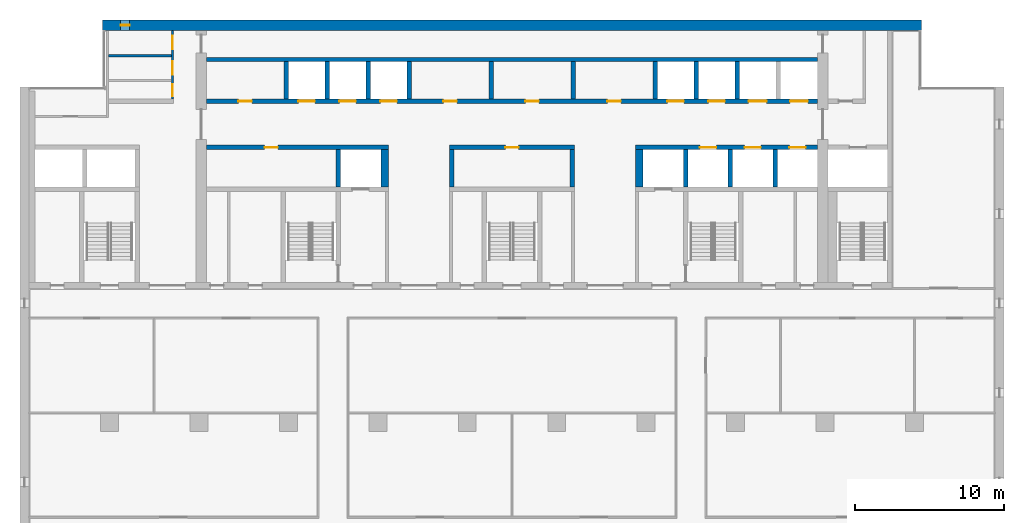
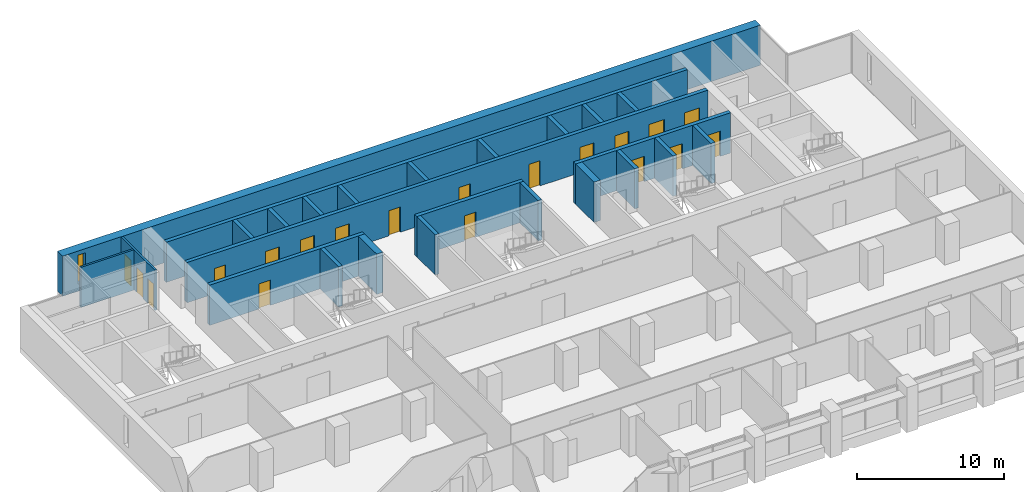
# One storey, part 11 of 17: 25 walls, 19 doors, 1 window, 20 openings.
"""IFC4 building model written with IfcOpenShell, lengths in metres."""

from ifc_helpers import new_model, si_unit, direction, frame, frame_2d, origin, place, context, subcontext, project, spatial, rectangle, extrude, material, layer, layer_set, type_object, element, fill, save


model = new_model("IFC4")

# Units and contexts
model_context = context("Model", 3, precision=1e-05, world=origin(), true_north=direction((0.0, 1.0)))
body_context = subcontext(model_context, "Body", "Model", "MODEL_VIEW")
ifc_project = project(units=[si_unit("LENGTHUNIT", "METRE"), si_unit("AREAUNIT", "SQUARE_METRE"), si_unit("VOLUMEUNIT", "CUBIC_METRE"), si_unit("PLANEANGLEUNIT", "RADIAN"), si_unit("MASSUNIT", "GRAM", prefix="KILO")], contexts=[model_context])

# Site, building, storey
site_placement = place(None, origin())
site = spatial("IfcSite", under=ifc_project, at=site_placement, CompositionType="ELEMENT")
building_placement = place(site_placement, origin())
building = spatial("IfcBuilding", under=site, at=building_placement, Name="Calvaro Tower", CompositionType="ELEMENT")
storey_placement = place(building_placement, frame((0.0, 0.0, 174.25)))
storey = spatial("IfcBuildingStorey", under=building, at=storey_placement, Name="L43", CompositionType="ELEMENT", Elevation=174.25)

# Wall
ifc_material_1 = material(Name="Blockwork partition", Category="masonry")
ifc_layer_1 = layer(ifc_material_1, 0.14990234375)
ifc_layer_set_1 = layer_set([ifc_layer_1], Name="Blockwork partition")
wall_type_1 = type_object("IfcWallType", Name="Core partition 150 EI 60", PredefinedType="PARTITIONING", material=ifc_layer_set_1)
wall_1_placement = place(storey_placement, frame((11.949951171875, 43.60009765625, 0.0), z_axis=(0.0, 0.0, 1.0), x_axis=(1.0, 0.0, 0.0)))
element("IfcWall", 1, at=wall_1_placement, inside=storey, type_object=wall_type_1, Name="Core partition", PredefinedType="PARTITIONING", context=body_context, shape_type="SweptSolid", body=[
    extrude(rectangle(XDim=4.199951171875, YDim=0.14990234375, at=frame_2d((2.10009765625, 0.0))), origin(), (0.0, 0.0, 1.0), 3.35009765625),
])

# Wall, openings, doors
ifc_material_2 = material(Name="Blockwork partition", Category="masonry")
ifc_layer_2 = layer(ifc_material_2, 0.14990234375)
ifc_layer_set_2 = layer_set([ifc_layer_2], Name="Blockwork partition")
wall_type_2 = type_object("IfcWallType", Name="Core partition 150 REI 120", PredefinedType="PARTITIONING", material=ifc_layer_set_2)
wall_2_placement = place(storey_placement, frame((16.22509765625, 45.300048828125, 0.0), z_axis=(0.0, 0.0, 1.0), x_axis=(0.0, -1.0, 0.0)))
wall_2 = element("IfcWall", 2, at=wall_2_placement, inside=storey, type_object=wall_type_2, Name="Core partition", PredefinedType="PARTITIONING", context=body_context, shape_type="SweptSolid", body=[
    extrude(rectangle(XDim=4.60009765625, YDim=0.14990234375, at=frame_2d((2.300048828125, 0.0))), origin(), (0.0, 0.0, 1.0), 3.35009765625),
])
opening_1_placement = place(wall_2_placement, frame((3.612548828125, 0.0, 0.0)))
opening_1 = element("IfcOpeningElement", 3, at=opening_1_placement, cuts=wall_2, Name="Opening RD8C", PredefinedType="OPENING", context=body_context, shape_type="SweptSolid", body=[
    extrude(rectangle(XDim=0.800048828125, YDim=2.10009765625, at=frame_2d((0.39990234375, 1.050048828125))), frame((0.0, 0.0849609375, 0.0), z_axis=(0.0, -1.0, 0.0), x_axis=(1.0, 0.0, 0.0)), (0.0, 0.0, 1.0), 0.169921875),
])
opening_2_placement = place(wall_2_placement, frame((2.074951171875, 0.0, 0.0)))
opening_2 = element("IfcOpeningElement", 4, at=opening_2_placement, cuts=wall_2, Name="Opening RD9", PredefinedType="OPENING", context=body_context, shape_type="SweptSolid", body=[
    extrude(rectangle(XDim=0.89990234375, YDim=2.10009765625, at=frame_2d((0.449951171875, 1.050048828125))), frame((0.0, 0.0849609375, 0.0), z_axis=(0.0, -1.0, 0.0), x_axis=(1.0, 0.0, 0.0)), (0.0, 0.0, 1.0), 0.169921875),
])
opening_3_placement = place(wall_2_placement, frame((0.362548828125, 0.0, 0.0)))
opening_3 = element("IfcOpeningElement", 5, at=opening_3_placement, cuts=wall_2, Name="Opening RD9", PredefinedType="OPENING", context=body_context, shape_type="SweptSolid", body=[
    extrude(rectangle(XDim=0.89990234375, YDim=2.10009765625, at=frame_2d((0.449951171875, 1.050048828125))), frame((0.0, 0.0849609375, 0.0), z_axis=(0.0, -1.0, 0.0), x_axis=(1.0, 0.0, 0.0)), (0.0, 0.0, 1.0), 0.169921875),
])
ifc_material_3 = material(Name="Steel door set", Category="steel")
door_type_1 = type_object("IfcDoorType", Name="Room door 800 FD30", OperationType="SINGLE_SWING_LEFT", PredefinedType="DOOR", material=ifc_material_3)
door_1_placement = place(opening_1_placement, origin())
door_1 = element("IfcDoor", 6, at=door_1_placement, inside=storey, type_object=door_type_1, Name="Room door", OperationType="SINGLE_SWING_RIGHT", OverallHeight=2.10009765625, OverallWidth=0.800048828125, PredefinedType="DOOR", context=body_context, shape_type="SweptSolid", body=[
    extrude(rectangle(XDim=0.800048828125, YDim=2.10009765625, at=frame_2d((0.39990234375, 1.050048828125))), frame((0.0, 0.02490234375, 0.0), z_axis=(0.0, -1.0, 0.0), x_axis=(1.0, 0.0, 0.0)), (0.0, 0.0, 1.0), 0.050048828125),
])
fill(opening_1, door_1)
ifc_material_4 = material(Name="Steel door set", Category="steel")
door_type_2 = type_object("IfcDoorType", Name="Room door 900", OperationType="SINGLE_SWING_LEFT", PredefinedType="DOOR", material=ifc_material_4)
door_2_placement = place(opening_2_placement, origin())
door_2 = element("IfcDoor", 7, at=door_2_placement, inside=storey, type_object=door_type_2, Name="Room door", OperationType="SINGLE_SWING_RIGHT", OverallHeight=2.10009765625, OverallWidth=0.89990234375, PredefinedType="DOOR", context=body_context, shape_type="SweptSolid", body=[
    extrude(rectangle(XDim=0.89990234375, YDim=2.10009765625, at=frame_2d((0.449951171875, 1.050048828125))), frame((0.0, 0.02490234375, 0.0), z_axis=(0.0, -1.0, 0.0), x_axis=(1.0, 0.0, 0.0)), (0.0, 0.0, 1.0), 0.050048828125),
])
fill(opening_2, door_2)
door_3_placement = place(opening_3_placement, origin())
door_3 = element("IfcDoor", 8, at=door_3_placement, inside=storey, type_object=door_type_2, Name="Room door", OperationType="SINGLE_SWING_RIGHT", OverallHeight=2.10009765625, OverallWidth=0.89990234375, PredefinedType="DOOR", context=body_context, shape_type="SweptSolid", body=[
    extrude(rectangle(XDim=0.89990234375, YDim=2.10009765625, at=frame_2d((0.449951171875, 1.050048828125))), frame((0.0, 0.02490234375, 0.0), z_axis=(0.0, -1.0, 0.0), x_axis=(1.0, 0.0, 0.0)), (0.0, 0.0, 1.0), 0.050048828125),
])
fill(opening_3, door_3)

# Walls
ifc_material_5 = material(Name="Blockwork partition", Category="masonry")
ifc_layer_3 = layer(ifc_material_5, 0.300048828125)
ifc_layer_set_3 = layer_set([ifc_layer_3], Name="Blockwork partition")
wall_type_3 = type_object("IfcWallType", Name="Core partition 300 EI 60", PredefinedType="PARTITIONING", material=ifc_layer_set_3)
wall_3_placement = place(storey_placement, frame((43.10009765625, 40.699951171875, 0.0), z_axis=(0.0, 0.0, 1.0), x_axis=(0.0, 1.0, 0.0)))
element("IfcWall", 9, at=wall_3_placement, inside=storey, type_object=wall_type_3, Name="Core partition", PredefinedType="PARTITIONING", context=body_context, shape_type="SweptSolid", body=[
    extrude(rectangle(XDim=2.5, YDim=0.300048828125, at=frame_2d((1.25, 0.0))), origin(), (0.0, 0.0, 1.0), 3.35009765625),
])
ifc_material_6 = material(Name="Blockwork partition", Category="masonry")
ifc_layer_4 = layer(ifc_material_6, 0.300048828125)
ifc_layer_set_4 = layer_set([ifc_layer_4], Name="Blockwork partition")
wall_type_4 = type_object("IfcWallType", Name="Core partition 300 REI 120", PredefinedType="PARTITIONING", material=ifc_layer_set_4)
wall_4_placement = place(storey_placement, frame((37.60009765625, 40.699951171875, 0.0), z_axis=(0.0, 0.0, 1.0), x_axis=(0.0, 1.0, 0.0)))
element("IfcWall", 10, at=wall_4_placement, inside=storey, type_object=wall_type_4, Name="Core partition", PredefinedType="PARTITIONING", context=body_context, shape_type="SweptSolid", body=[
    extrude(rectangle(XDim=2.5, YDim=0.300048828125, at=frame_2d((1.25, 0.0))), origin(), (0.0, 0.0, 1.0), 3.35009765625),
])

# Wall, opening, door
ifc_material_7 = material(Name="Concrete C50/60", Category="concrete")
ifc_layer_5 = layer(ifc_material_7, 0.300048828125)
ifc_layer_set_5 = layer_set([ifc_layer_5], Name="Concrete C50/60")
wall_type_5 = type_object("IfcWallType", Name="Core wall C50/60 300", PredefinedType="SHEAR", material=ifc_layer_set_5)
wall_5_placement = place(storey_placement, frame((30.699951171875, 37.449951171875, 0.0), z_axis=(0.0, 0.0, 1.0), x_axis=(-1.0, 0.0, 0.0)))
wall_5 = element("IfcWall", 11, at=wall_5_placement, inside=storey, type_object=wall_type_5, Name="Core wall, bay", PredefinedType="SHEAR", context=body_context, shape_type="SweptSolid", body=[
    extrude(rectangle(XDim=12.199951171875, YDim=0.300048828125, at=frame_2d((6.10009765625, 0.0))), origin(), (0.0, 0.0, 1.0), 3.35009765625),
])
opening_4_placement = place(wall_5_placement, frame((7.39990234375, 0.0, 0.0)))
opening_4 = element("IfcOpeningElement", 12, at=opening_4_placement, cuts=wall_5, Name="Opening RD9E", PredefinedType="OPENING", context=body_context, shape_type="SweptSolid", body=[
    extrude(rectangle(XDim=0.89990234375, YDim=2.10009765625, at=frame_2d((0.449951171875, 1.050048828125))), frame((0.0, 0.159912109375, 0.0), z_axis=(0.0, -1.0, 0.0), x_axis=(1.0, 0.0, 0.0)), (0.0, 0.0, 1.0), 0.320068359375),
])
ifc_material_8 = material(Name="Steel door set", Category="steel")
door_type_3 = type_object("IfcDoorType", Name="Room door 900 FD60", OperationType="SINGLE_SWING_LEFT", PredefinedType="DOOR", material=ifc_material_8)
door_4_placement = place(opening_4_placement, origin())
door_4 = element("IfcDoor", 13, at=door_4_placement, inside=storey, type_object=door_type_3, Name="Room door", OperationType="SINGLE_SWING_LEFT", OverallHeight=2.10009765625, OverallWidth=0.89990234375, PredefinedType="DOOR", context=body_context, shape_type="SweptSolid", body=[
    extrude(rectangle(XDim=0.89990234375, YDim=2.10009765625, at=frame_2d((0.449951171875, 1.050048828125))), frame((0.0, 0.02490234375, 0.0), z_axis=(0.0, -1.0, 0.0), x_axis=(1.0, 0.0, 0.0)), (0.0, 0.0, 1.0), 0.050048828125),
])
fill(opening_4, door_4)

wall_6_placement = place(storey_placement, frame((43.199951171875, 37.449951171875, 0.0), z_axis=(0.0, 0.0, 1.0), x_axis=(-1.0, 0.0, 0.0)))
wall_6 = element("IfcWall", 14, at=wall_6_placement, inside=storey, type_object=wall_type_5, Name="Core wall, bay", PredefinedType="SHEAR", context=body_context, shape_type="SweptSolid", body=[
    extrude(rectangle(XDim=8.39990234375, YDim=0.300048828125, at=frame_2d((4.199951171875, 0.0))), origin(), (0.0, 0.0, 1.0), 3.35009765625),
])
opening_5_placement = place(wall_6_placement, frame((3.75, 0.0, 0.0)))
opening_5 = element("IfcOpeningElement", 15, at=opening_5_placement, cuts=wall_6, Name="Opening RD9E", PredefinedType="OPENING", context=body_context, shape_type="SweptSolid", body=[
    extrude(rectangle(XDim=0.89990234375, YDim=2.10009765625, at=frame_2d((0.449951171875, 1.050048828125))), frame((0.0, 0.159912109375, 0.0), z_axis=(0.0, -1.0, 0.0), x_axis=(1.0, 0.0, 0.0)), (0.0, 0.0, 1.0), 0.320068359375),
])
door_5_placement = place(opening_5_placement, origin())
door_5 = element("IfcDoor", 16, at=door_5_placement, inside=storey, type_object=door_type_3, Name="Room door", OperationType="SINGLE_SWING_RIGHT", OverallHeight=2.10009765625, OverallWidth=0.89990234375, PredefinedType="DOOR", context=body_context, shape_type="SweptSolid", body=[
    extrude(rectangle(XDim=0.89990234375, YDim=2.10009765625, at=frame_2d((0.449951171875, 1.050048828125))), frame((0.0, 0.02490234375, 0.0), z_axis=(0.0, -1.0, 0.0), x_axis=(1.0, 0.0, 0.0)), (0.0, 0.0, 1.0), 0.050048828125),
])
fill(opening_5, door_5)

# Wall, openings, doors
wall_7_placement = place(storey_placement, frame((47.300048828125, 37.449951171875, 0.0), z_axis=(0.0, 0.0, 1.0), x_axis=(1.0, 0.0, 0.0)))
wall_7 = element("IfcWall", 17, at=wall_7_placement, inside=storey, type_object=wall_type_5, Name="Core wall, lift shaft", PredefinedType="SHEAR", context=body_context, shape_type="SweptSolid", body=[
    extrude(rectangle(XDim=12.199951171875, YDim=0.300048828125, at=frame_2d((6.10009765625, 0.0))), origin(), (0.0, 0.0, 1.0), 3.35009765625),
])
opening_6_placement = place(wall_7_placement, frame((4.300048828125, 0.0, 0.0)))
opening_6 = element("IfcOpeningElement", 18, at=opening_6_placement, cuts=wall_7, Name="Opening HR1", PredefinedType="OPENING", context=body_context, shape_type="SweptSolid", body=[
    extrude(rectangle(XDim=1.10009765625, YDim=2.10009765625, at=frame_2d((0.550048828125, 1.050048828125))), frame((0.0, 0.159912109375, 0.0), z_axis=(0.0, -1.0, 0.0), x_axis=(1.0, 0.0, 0.0)), (0.0, 0.0, 1.0), 0.320068359375),
])
opening_7_placement = place(wall_7_placement, frame((7.300048828125, 0.0, 0.0)))
opening_7 = element("IfcOpeningElement", 19, at=opening_7_placement, cuts=wall_7, Name="Opening HR2", PredefinedType="OPENING", context=body_context, shape_type="SweptSolid", body=[
    extrude(rectangle(XDim=1.10009765625, YDim=2.10009765625, at=frame_2d((0.550048828125, 1.050048828125))), frame((0.0, 0.159912109375, 0.0), z_axis=(0.0, -1.0, 0.0), x_axis=(1.0, 0.0, 0.0)), (0.0, 0.0, 1.0), 0.320068359375),
])
opening_8_placement = place(wall_7_placement, frame((10.300048828125, 0.0, 0.0)))
opening_8 = element("IfcOpeningElement", 20, at=opening_8_placement, cuts=wall_7, Name="Opening HR3", PredefinedType="OPENING", context=body_context, shape_type="SweptSolid", body=[
    extrude(rectangle(XDim=1.10009765625, YDim=2.10009765625, at=frame_2d((0.550048828125, 1.050048828125))), frame((0.0, 0.159912109375, 0.0), z_axis=(0.0, -1.0, 0.0), x_axis=(1.0, 0.0, 0.0)), (0.0, 0.0, 1.0), 0.320068359375),
])
ifc_material_9 = material(Name="Stainless steel", Category="steel")
door_type_4 = type_object("IfcDoorType", Name="Landing door 1100 E 60", OperationType="SLIDING_TO_LEFT", PredefinedType="DOOR", material=ifc_material_9)
door_6_placement = place(opening_6_placement, origin())
door_6 = element("IfcDoor", 21, at=door_6_placement, inside=storey, type_object=door_type_4, Name="Landing door HR1", OperationType="SLIDING_TO_LEFT", OverallHeight=2.10009765625, OverallWidth=1.10009765625, PredefinedType="DOOR", context=body_context, shape_type="SweptSolid", body=[
    extrude(rectangle(XDim=1.10009765625, YDim=2.10009765625, at=frame_2d((0.550048828125, 1.050048828125))), frame((0.0, 0.02490234375, 0.0), z_axis=(0.0, -1.0, 0.0), x_axis=(1.0, 0.0, 0.0)), (0.0, 0.0, 1.0), 0.050048828125),
])
fill(opening_6, door_6)
door_7_placement = place(opening_7_placement, origin())
door_7 = element("IfcDoor", 22, at=door_7_placement, inside=storey, type_object=door_type_4, Name="Landing door HR2", OperationType="SLIDING_TO_LEFT", OverallHeight=2.10009765625, OverallWidth=1.10009765625, PredefinedType="DOOR", context=body_context, shape_type="SweptSolid", body=[
    extrude(rectangle(XDim=1.10009765625, YDim=2.10009765625, at=frame_2d((0.550048828125, 1.050048828125))), frame((0.0, 0.02490234375, 0.0), z_axis=(0.0, -1.0, 0.0), x_axis=(1.0, 0.0, 0.0)), (0.0, 0.0, 1.0), 0.050048828125),
])
fill(opening_7, door_7)
door_8_placement = place(opening_8_placement, origin())
door_8 = element("IfcDoor", 23, at=door_8_placement, inside=storey, type_object=door_type_4, Name="Landing door HR3", OperationType="SLIDING_TO_LEFT", OverallHeight=2.10009765625, OverallWidth=1.10009765625, PredefinedType="DOOR", context=body_context, shape_type="SweptSolid", body=[
    extrude(rectangle(XDim=1.10009765625, YDim=2.10009765625, at=frame_2d((0.550048828125, 1.050048828125))), frame((0.0, 0.02490234375, 0.0), z_axis=(0.0, -1.0, 0.0), x_axis=(1.0, 0.0, 0.0)), (0.0, 0.0, 1.0), 0.050048828125),
])
fill(opening_8, door_8)

# Walls
for number, where, z_axis, x_axis, name in (
    (24, (27.35009765625, 34.800048828125, 0.0), (0.0, 0.0, 1.0), (0.0, 1.0, 0.0), "Core wall, lift shaft"),
    (25, (34.949951171875, 34.800048828125, 0.0), (0.0, 0.0, 1.0), (0.0, 1.0, 0.0), "Core wall, lift shaft"),
    (26, (43.050048828125, 34.800048828125, 0.0), (0.0, 0.0, 1.0), (0.0, 1.0, 0.0), "Core wall, lift shaft"),
    (27, (50.64990234375, 34.800048828125, 0.0), (0.0, 0.0, 1.0), (0.0, 1.0, 0.0), "Core wall, lift shaft"),
):
    element("IfcWall", number, at=place(storey_placement, frame(where, z_axis=z_axis, x_axis=x_axis)), inside=storey, type_object=wall_type_5, Name=name, PredefinedType="SHEAR", context=body_context, shape_type="SweptSolid", body=[
        extrude(rectangle(XDim=2.5, YDim=0.300048828125, at=frame_2d((1.25, 0.0))), origin(), (0.0, 0.0, 1.0), 3.35009765625),
    ])

# Wall, openings, doors
wall_8_placement = place(storey_placement, frame((18.5, 40.550048828125, 0.0), z_axis=(0.0, 0.0, 1.0), x_axis=(1.0, 0.0, 0.0)))
wall_8 = element("IfcWall", 28, at=wall_8_placement, inside=storey, type_object=wall_type_5, Name="Core wall, bay", PredefinedType="SHEAR", context=body_context, shape_type="SweptSolid", body=[
    extrude(rectangle(XDim=41.0, YDim=0.300048828125, at=frame_2d((20.5, 0.0))), origin(), (0.0, 0.0, 1.0), 3.35009765625),
])
opening_9_placement = place(wall_8_placement, frame((2.14990234375, 0.0, 0.0)))
opening_9 = element("IfcOpeningElement", 29, at=opening_9_placement, cuts=wall_8, Name="Opening RD9E", PredefinedType="OPENING", context=body_context, shape_type="SweptSolid", body=[
    extrude(rectangle(XDim=0.89990234375, YDim=2.10009765625, at=frame_2d((0.449951171875, 1.050048828125))), frame((0.0, 0.159912109375, 0.0), z_axis=(0.0, -1.0, 0.0), x_axis=(1.0, 0.0, 0.0)), (0.0, 0.0, 1.0), 0.320068359375),
])
opening_10_placement = place(wall_8_placement, frame((15.89990234375, 0.0, 0.0)))
opening_10 = element("IfcOpeningElement", 30, at=opening_10_placement, cuts=wall_8, Name="Opening RD9E", PredefinedType="OPENING", context=body_context, shape_type="SweptSolid", body=[
    extrude(rectangle(XDim=0.89990234375, YDim=2.10009765625, at=frame_2d((0.449951171875, 1.050048828125))), frame((0.0, 0.159912109375, 0.0), z_axis=(0.0, -1.0, 0.0), x_axis=(1.0, 0.0, 0.0)), (0.0, 0.0, 1.0), 0.320068359375),
])
opening_11_placement = place(wall_8_placement, frame((21.39990234375, 0.0, 0.0)))
opening_11 = element("IfcOpeningElement", 31, at=opening_11_placement, cuts=wall_8, Name="Opening RD9E", PredefinedType="OPENING", context=body_context, shape_type="SweptSolid", body=[
    extrude(rectangle(XDim=0.89990234375, YDim=2.10009765625, at=frame_2d((0.449951171875, 1.050048828125))), frame((0.0, 0.159912109375, 0.0), z_axis=(0.0, -1.0, 0.0), x_axis=(1.0, 0.0, 0.0)), (0.0, 0.0, 1.0), 0.320068359375),
])
opening_12_placement = place(wall_8_placement, frame((26.89990234375, 0.0, 0.0)))
opening_12 = element("IfcOpeningElement", 32, at=opening_12_placement, cuts=wall_8, Name="Opening RD9C", PredefinedType="OPENING", context=body_context, shape_type="SweptSolid", body=[
    extrude(rectangle(XDim=0.89990234375, YDim=2.10009765625, at=frame_2d((0.449951171875, 1.050048828125))), frame((0.0, 0.159912109375, 0.0), z_axis=(0.0, -1.0, 0.0), x_axis=(1.0, 0.0, 0.0)), (0.0, 0.0, 1.0), 0.320068359375),
])
opening_13_placement = place(wall_8_placement, frame((6.175048828125, 0.0, 0.0)))
opening_13 = element("IfcOpeningElement", 33, at=opening_13_placement, cuts=wall_8, Name="Opening HR4", PredefinedType="OPENING", context=body_context, shape_type="SweptSolid", body=[
    extrude(rectangle(XDim=1.10009765625, YDim=2.10009765625, at=frame_2d((0.550048828125, 1.050048828125))), frame((0.0, 0.159912109375, 0.0), z_axis=(0.0, -1.0, 0.0), x_axis=(1.0, 0.0, 0.0)), (0.0, 0.0, 1.0), 0.320068359375),
])
opening_14_placement = place(wall_8_placement, frame((8.925048828125, 0.0, 0.0)))
opening_14 = element("IfcOpeningElement", 34, at=opening_14_placement, cuts=wall_8, Name="Opening HR5", PredefinedType="OPENING", context=body_context, shape_type="SweptSolid", body=[
    extrude(rectangle(XDim=1.10009765625, YDim=2.10009765625, at=frame_2d((0.550048828125, 1.050048828125))), frame((0.0, 0.159912109375, 0.0), z_axis=(0.0, -1.0, 0.0), x_axis=(1.0, 0.0, 0.0)), (0.0, 0.0, 1.0), 0.320068359375),
])
opening_15_placement = place(wall_8_placement, frame((11.675048828125, 0.0, 0.0)))
opening_15 = element("IfcOpeningElement", 35, at=opening_15_placement, cuts=wall_8, Name="Opening HR6", PredefinedType="OPENING", context=body_context, shape_type="SweptSolid", body=[
    extrude(rectangle(XDim=1.10009765625, YDim=2.10009765625, at=frame_2d((0.550048828125, 1.050048828125))), frame((0.0, 0.159912109375, 0.0), z_axis=(0.0, -1.0, 0.0), x_axis=(1.0, 0.0, 0.0)), (0.0, 0.0, 1.0), 0.320068359375),
])
opening_16_placement = place(wall_8_placement, frame((30.925048828125, 0.0, 0.0)))
opening_16 = element("IfcOpeningElement", 36, at=opening_16_placement, cuts=wall_8, Name="Opening HR7", PredefinedType="OPENING", context=body_context, shape_type="SweptSolid", body=[
    extrude(rectangle(XDim=1.10009765625, YDim=2.10009765625, at=frame_2d((0.550048828125, 1.050048828125))), frame((0.0, 0.159912109375, 0.0), z_axis=(0.0, -1.0, 0.0), x_axis=(1.0, 0.0, 0.0)), (0.0, 0.0, 1.0), 0.320068359375),
])
opening_17_placement = place(wall_8_placement, frame((33.675048828125, 0.0, 0.0)))
opening_17 = element("IfcOpeningElement", 37, at=opening_17_placement, cuts=wall_8, Name="Opening HR8", PredefinedType="OPENING", context=body_context, shape_type="SweptSolid", body=[
    extrude(rectangle(XDim=1.10009765625, YDim=2.10009765625, at=frame_2d((0.550048828125, 1.050048828125))), frame((0.0, 0.159912109375, 0.0), z_axis=(0.0, -1.0, 0.0), x_axis=(1.0, 0.0, 0.0)), (0.0, 0.0, 1.0), 0.320068359375),
])
opening_18_placement = place(wall_8_placement, frame((36.375, 0.0, 0.0)))
opening_18 = element("IfcOpeningElement", 38, at=opening_18_placement, cuts=wall_8, Name="Opening SV1", PredefinedType="OPENING", context=body_context, shape_type="SweptSolid", body=[
    extrude(rectangle(XDim=1.199951171875, YDim=2.10009765625, at=frame_2d((0.60009765625, 1.050048828125))), frame((0.0, 0.159912109375, 0.0), z_axis=(0.0, -1.0, 0.0), x_axis=(1.0, 0.0, 0.0)), (0.0, 0.0, 1.0), 0.320068359375),
])
opening_19_placement = place(wall_8_placement, frame((39.14990234375, 0.0, 0.0)))
opening_19 = element("IfcOpeningElement", 39, at=opening_19_placement, cuts=wall_8, Name="Opening SV2", PredefinedType="OPENING", context=body_context, shape_type="SweptSolid", body=[
    extrude(rectangle(XDim=1.199951171875, YDim=2.10009765625, at=frame_2d((0.60009765625, 1.050048828125))), frame((0.0, 0.159912109375, 0.0), z_axis=(0.0, -1.0, 0.0), x_axis=(1.0, 0.0, 0.0)), (0.0, 0.0, 1.0), 0.320068359375),
])
door_9_placement = place(opening_13_placement, origin())
door_9 = element("IfcDoor", 40, at=door_9_placement, inside=storey, type_object=door_type_4, Name="Landing door HR4", OperationType="SLIDING_TO_LEFT", OverallHeight=2.10009765625, OverallWidth=1.10009765625, PredefinedType="DOOR", context=body_context, shape_type="SweptSolid", body=[
    extrude(rectangle(XDim=1.10009765625, YDim=2.10009765625, at=frame_2d((0.550048828125, 1.050048828125))), frame((0.0, 0.02490234375, 0.0), z_axis=(0.0, -1.0, 0.0), x_axis=(1.0, 0.0, 0.0)), (0.0, 0.0, 1.0), 0.050048828125),
])
fill(opening_13, door_9)
door_10_placement = place(opening_14_placement, origin())
door_10 = element("IfcDoor", 41, at=door_10_placement, inside=storey, type_object=door_type_4, Name="Landing door HR5", OperationType="SLIDING_TO_LEFT", OverallHeight=2.10009765625, OverallWidth=1.10009765625, PredefinedType="DOOR", context=body_context, shape_type="SweptSolid", body=[
    extrude(rectangle(XDim=1.10009765625, YDim=2.10009765625, at=frame_2d((0.550048828125, 1.050048828125))), frame((0.0, 0.02490234375, 0.0), z_axis=(0.0, -1.0, 0.0), x_axis=(1.0, 0.0, 0.0)), (0.0, 0.0, 1.0), 0.050048828125),
])
fill(opening_14, door_10)
door_11_placement = place(opening_15_placement, origin())
door_11 = element("IfcDoor", 42, at=door_11_placement, inside=storey, type_object=door_type_4, Name="Landing door HR6", OperationType="SLIDING_TO_LEFT", OverallHeight=2.10009765625, OverallWidth=1.10009765625, PredefinedType="DOOR", context=body_context, shape_type="SweptSolid", body=[
    extrude(rectangle(XDim=1.10009765625, YDim=2.10009765625, at=frame_2d((0.550048828125, 1.050048828125))), frame((0.0, 0.02490234375, 0.0), z_axis=(0.0, -1.0, 0.0), x_axis=(1.0, 0.0, 0.0)), (0.0, 0.0, 1.0), 0.050048828125),
])
fill(opening_15, door_11)
door_12_placement = place(opening_16_placement, origin())
door_12 = element("IfcDoor", 43, at=door_12_placement, inside=storey, type_object=door_type_4, Name="Landing door HR7", OperationType="SLIDING_TO_LEFT", OverallHeight=2.10009765625, OverallWidth=1.10009765625, PredefinedType="DOOR", context=body_context, shape_type="SweptSolid", body=[
    extrude(rectangle(XDim=1.10009765625, YDim=2.10009765625, at=frame_2d((0.550048828125, 1.050048828125))), frame((0.0, 0.02490234375, 0.0), z_axis=(0.0, -1.0, 0.0), x_axis=(1.0, 0.0, 0.0)), (0.0, 0.0, 1.0), 0.050048828125),
])
fill(opening_16, door_12)
door_13_placement = place(opening_17_placement, origin())
door_13 = element("IfcDoor", 44, at=door_13_placement, inside=storey, type_object=door_type_4, Name="Landing door HR8", OperationType="SLIDING_TO_LEFT", OverallHeight=2.10009765625, OverallWidth=1.10009765625, PredefinedType="DOOR", context=body_context, shape_type="SweptSolid", body=[
    extrude(rectangle(XDim=1.10009765625, YDim=2.10009765625, at=frame_2d((0.550048828125, 1.050048828125))), frame((0.0, 0.02490234375, 0.0), z_axis=(0.0, -1.0, 0.0), x_axis=(1.0, 0.0, 0.0)), (0.0, 0.0, 1.0), 0.050048828125),
])
fill(opening_17, door_13)
ifc_material_10 = material(Name="Stainless steel", Category="steel")
door_type_5 = type_object("IfcDoorType", Name="Landing door 1200 E 60", OperationType="SLIDING_TO_LEFT", PredefinedType="DOOR", material=ifc_material_10)
door_14_placement = place(opening_18_placement, origin())
door_14 = element("IfcDoor", 45, at=door_14_placement, inside=storey, type_object=door_type_5, Name="Landing door SV1", OperationType="SLIDING_TO_LEFT", OverallHeight=2.10009765625, OverallWidth=1.199951171875, PredefinedType="DOOR", context=body_context, shape_type="SweptSolid", body=[
    extrude(rectangle(XDim=1.199951171875, YDim=2.10009765625, at=frame_2d((0.60009765625, 1.050048828125))), frame((0.0, 0.02490234375, 0.0), z_axis=(0.0, -1.0, 0.0), x_axis=(1.0, 0.0, 0.0)), (0.0, 0.0, 1.0), 0.050048828125),
])
fill(opening_18, door_14)
door_15_placement = place(opening_19_placement, origin())
door_15 = element("IfcDoor", 46, at=door_15_placement, inside=storey, type_object=door_type_5, Name="Landing door SV2", OperationType="SLIDING_TO_LEFT", OverallHeight=2.10009765625, OverallWidth=1.199951171875, PredefinedType="DOOR", context=body_context, shape_type="SweptSolid", body=[
    extrude(rectangle(XDim=1.199951171875, YDim=2.10009765625, at=frame_2d((0.60009765625, 1.050048828125))), frame((0.0, 0.02490234375, 0.0), z_axis=(0.0, -1.0, 0.0), x_axis=(1.0, 0.0, 0.0)), (0.0, 0.0, 1.0), 0.050048828125),
])
fill(opening_19, door_15)
ifc_material_11 = material(Name="Steel door set", Category="steel")
door_type_6 = type_object("IfcDoorType", Name="Room door 900 FD30", OperationType="SINGLE_SWING_LEFT", PredefinedType="DOOR", material=ifc_material_11)
door_16_placement = place(opening_12_placement, origin())
door_16 = element("IfcDoor", 47, at=door_16_placement, inside=storey, type_object=door_type_6, Name="Room door", OperationType="SINGLE_SWING_LEFT", OverallHeight=2.10009765625, OverallWidth=0.89990234375, PredefinedType="DOOR", context=body_context, shape_type="SweptSolid", body=[
    extrude(rectangle(XDim=0.89990234375, YDim=2.10009765625, at=frame_2d((0.449951171875, 1.050048828125))), frame((0.0, 0.02490234375, 0.0), z_axis=(0.0, -1.0, 0.0), x_axis=(1.0, 0.0, 0.0)), (0.0, 0.0, 1.0), 0.050048828125),
])
fill(opening_12, door_16)
door_17_placement = place(opening_9_placement, origin())
door_17 = element("IfcDoor", 48, at=door_17_placement, inside=storey, type_object=door_type_3, Name="Room door", OperationType="SINGLE_SWING_RIGHT", OverallHeight=2.10009765625, OverallWidth=0.89990234375, PredefinedType="DOOR", context=body_context, shape_type="SweptSolid", body=[
    extrude(rectangle(XDim=0.89990234375, YDim=2.10009765625, at=frame_2d((0.449951171875, 1.050048828125))), frame((0.0, 0.02490234375, 0.0), z_axis=(0.0, -1.0, 0.0), x_axis=(1.0, 0.0, 0.0)), (0.0, 0.0, 1.0), 0.050048828125),
])
fill(opening_9, door_17)
door_18_placement = place(opening_10_placement, origin())
door_18 = element("IfcDoor", 49, at=door_18_placement, inside=storey, type_object=door_type_3, Name="Room door", OperationType="SINGLE_SWING_LEFT", OverallHeight=2.10009765625, OverallWidth=0.89990234375, PredefinedType="DOOR", context=body_context, shape_type="SweptSolid", body=[
    extrude(rectangle(XDim=0.89990234375, YDim=2.10009765625, at=frame_2d((0.449951171875, 1.050048828125))), frame((0.0, 0.02490234375, 0.0), z_axis=(0.0, -1.0, 0.0), x_axis=(1.0, 0.0, 0.0)), (0.0, 0.0, 1.0), 0.050048828125),
])
fill(opening_10, door_18)
door_19_placement = place(opening_11_placement, origin())
door_19 = element("IfcDoor", 50, at=door_19_placement, inside=storey, type_object=door_type_3, Name="Room door", OperationType="SINGLE_SWING_LEFT", OverallHeight=2.10009765625, OverallWidth=0.89990234375, PredefinedType="DOOR", context=body_context, shape_type="SweptSolid", body=[
    extrude(rectangle(XDim=0.89990234375, YDim=2.10009765625, at=frame_2d((0.449951171875, 1.050048828125))), frame((0.0, 0.02490234375, 0.0), z_axis=(0.0, -1.0, 0.0), x_axis=(1.0, 0.0, 0.0)), (0.0, 0.0, 1.0), 0.050048828125),
])
fill(opening_11, door_19)

# Walls
wall_9_placement = place(storey_placement, frame((18.5, 43.35009765625, 0.0), z_axis=(0.0, 0.0, 1.0), x_axis=(1.0, 0.0, 0.0)))
element("IfcWall", 51, at=wall_9_placement, inside=storey, type_object=wall_type_5, Name="Core wall, lift shaft", PredefinedType="SHEAR", context=body_context, shape_type="SweptSolid", body=[
    extrude(rectangle(XDim=41.0, YDim=0.300048828125, at=frame_2d((20.5, 0.0))), origin(), (0.0, 0.0, 1.0), 3.35009765625),
])
for number, where, z_axis, x_axis, name in (
    (52, (53.64990234375, 34.800048828125, 0.0), (0.0, 0.0, 1.0), (0.0, 1.0, 0.0), "Core wall, lift shaft"),
    (53, (56.64990234375, 34.800048828125, 0.0), (0.0, 0.0, 1.0), (0.0, 1.0, 0.0), "Core wall, lift shaft"),
    (54, (23.85009765625, 40.699951171875, 0.0), (0.0, 0.0, 1.0), (0.0, 1.0, 0.0), "Core wall, lift shaft"),
    (55, (26.60009765625, 40.699951171875, 0.0), (0.0, 0.0, 1.0), (0.0, 1.0, 0.0), "Core wall, lift shaft"),
    (56, (29.35009765625, 40.699951171875, 0.0), (0.0, 0.0, 1.0), (0.0, 1.0, 0.0), "Core wall, lift shaft"),
    (57, (32.10009765625, 40.699951171875, 0.0), (0.0, 0.0, 1.0), (0.0, 1.0, 0.0), "Core wall, lift shaft"),
    (58, (48.60009765625, 40.699951171875, 0.0), (0.0, 0.0, 1.0), (0.0, 1.0, 0.0), "Core wall, lift shaft"),
    (59, (51.35009765625, 40.699951171875, 0.0), (0.0, 0.0, 1.0), (0.0, 1.0, 0.0), "Core wall, lift shaft"),
    (60, (54.10009765625, 40.699951171875, 0.0), (0.0, 0.0, 1.0), (0.0, 1.0, 0.0), "Core wall, lift shaft"),
):
    element("IfcWall", number, at=place(storey_placement, frame(where, z_axis=z_axis, x_axis=x_axis)), inside=storey, type_object=wall_type_5, Name=name, PredefinedType="SHEAR", context=body_context, shape_type="SweptSolid", body=[
        extrude(rectangle(XDim=2.5, YDim=0.300048828125, at=frame_2d((1.25, 0.0))), origin(), (0.0, 0.0, 1.0), 3.35009765625),
    ])
ifc_material_12 = material(Name="Concrete C50/60", Category="concrete")
ifc_layer_6 = layer(ifc_material_12, 0.5)
ifc_layer_set_6 = layer_set([ifc_layer_6], Name="Concrete C50/60")
wall_type_6 = type_object("IfcWallType", Name="Core wall C50/60 500", PredefinedType="SHEAR", material=ifc_layer_set_6)
for number, where, z_axis, x_axis, name in (
    (61, (30.449951171875, 34.800048828125, 0.0), (0.0, 0.0, 1.0), (0.0, 1.0, 0.0), "Core wall, lift shaft"),
    (62, (47.550048828125, 34.800048828125, 0.0), (0.0, 0.0, 1.0), (0.0, 1.0, 0.0), "Core wall, lift shaft"),
):
    element("IfcWall", number, at=place(storey_placement, frame(where, z_axis=z_axis, x_axis=x_axis)), inside=storey, type_object=wall_type_6, Name=name, PredefinedType="SHEAR", context=body_context, shape_type="SweptSolid", body=[
        extrude(rectangle(XDim=2.5, YDim=0.5, at=frame_2d((1.25, 0.0))), origin(), (0.0, 0.0, 1.0), 3.35009765625),
    ])

# Wall, opening, window
ifc_material_13 = material(Name="Concrete C50/60", Category="concrete")
ifc_layer_7 = layer(ifc_material_13, 0.699951171875)
ifc_layer_set_7 = layer_set([ifc_layer_7], Name="Concrete C50/60")
wall_type_7 = type_object("IfcWallType", Name="Rear core wall 700 C50/60", PredefinedType="SHEAR", material=ifc_layer_set_7)
wall_10_placement = place(storey_placement, frame((11.550048828125, 45.64990234375, 0.0), z_axis=(0.0, 0.0, 1.0), x_axis=(1.0, 0.0, 0.0)))
wall_10 = element("IfcWall", 63, at=wall_10_placement, inside=storey, type_object=wall_type_7, Name="North core wall", PredefinedType="SHEAR", context=body_context, shape_type="SweptSolid", body=[
    extrude(rectangle(XDim=54.89990234375, YDim=0.699951171875, at=frame_2d((27.449951171875, 0.0))), origin(), (0.0, 0.0, 1.0), 3.35009765625),
])
opening_20_placement = place(wall_10_placement, frame((1.199951171875, 0.0, 0.60009765625)))
opening_20 = element("IfcOpeningElement", 64, at=opening_20_placement, cuts=wall_10, Name="Opening WN01", PredefinedType="OPENING", context=body_context, shape_type="SweptSolid", body=[
    extrude(rectangle(XDim=0.60009765625, YDim=2.39990234375, at=frame_2d((0.300048828125, 1.199951171875))), frame((0.0, 0.35986328125, 0.0), z_axis=(0.0, -1.0, 0.0), x_axis=(1.0, 0.0, 0.0)), (0.0, 0.0, 1.0), 0.719970703125),
])
ifc_material_14 = material(Name="Glass", Category="glass")
window_type = type_object("IfcWindowType", Name="Slit window 600 x 2400", PartitioningType="SINGLE_PANEL", PredefinedType="WINDOW", material=ifc_material_14)
window_placement = place(opening_20_placement, origin())
window = element("IfcWindow", 65, at=window_placement, inside=storey, type_object=window_type, Name="Window WN01", OverallHeight=2.39990234375, OverallWidth=0.60009765625, PartitioningType="SINGLE_PANEL", PredefinedType="WINDOW", context=body_context, shape_type="SweptSolid", body=[
    extrude(rectangle(XDim=0.60009765625, YDim=2.39990234375, at=frame_2d((0.300048828125, 1.199951171875))), frame((0.0, 0.030029296875, 0.0), z_axis=(0.0, -1.0, 0.0), x_axis=(1.0, 0.0, 0.0)), (0.0, 0.0, 1.0), 0.06005859375),
])
fill(opening_20, window)

save(model, "model.ifc")
